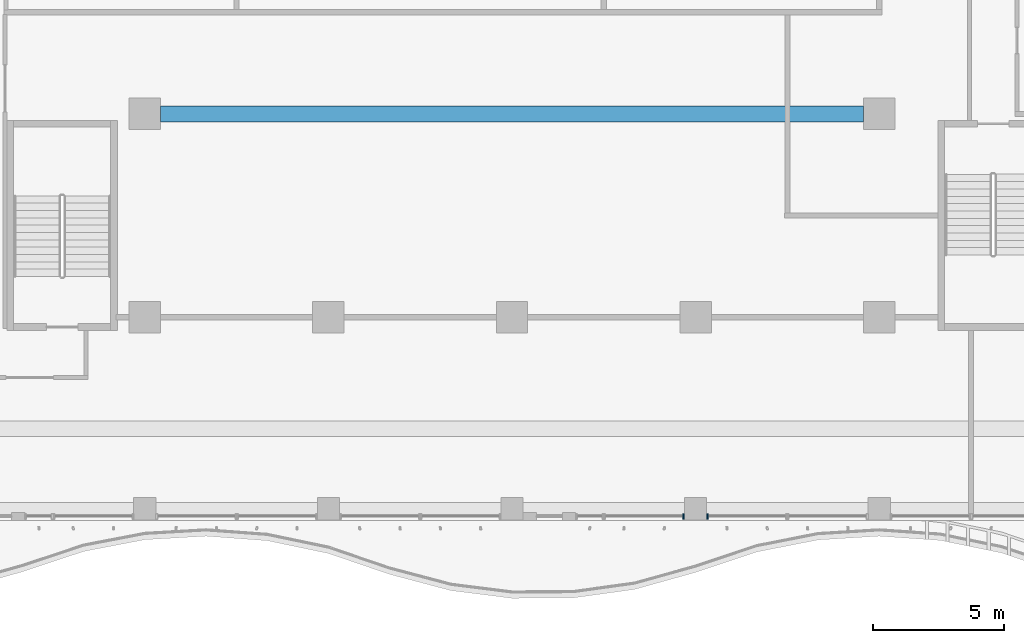
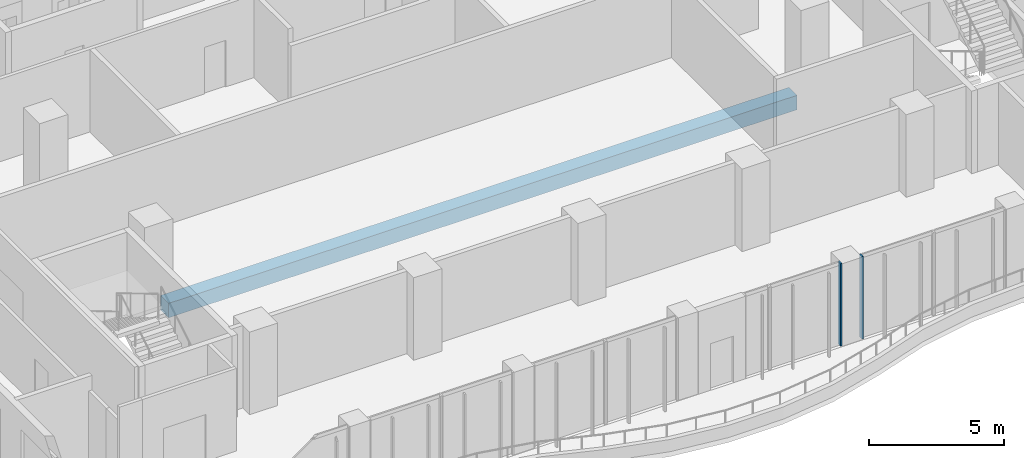
# One storey, part 4 of 27: 2 members, 1 beam, 2 elements without a shape of their own.
"""IFC4 building model written with IfcOpenShell, lengths in metres."""

import ifcopenshell
import ifcopenshell.guid

model = None  # the IFC model being written
_history = None  # IfcOwnerHistory: only IFC2X3 demands one
_inside = {}  # id of a spatial element -> (the spatial element, [elements in it])
_under = {}  # id of a project, library or spatial element -> (it, [spatial elements below it])
_declared = {}  # id of a project -> (the project, [libraries it declares])
_typed = {}  # id of a type object -> (the type object, [elements of that type])
_made_of = {}  # id of a material, layer set ... -> (it, [elements and type objects made of it])


def new_model(schema):
    """Start an empty IFC model of exactly this schema.

    Asked for "IFC4X3", IfcOpenShell would pick the latest addendum, in which some entities
    have other attributes; the version numbers below select the first issue.
    IFC2X3 requires an IfcOwnerHistory on every rooted entity: one is made here for all.
    """
    global model, _history
    if schema == "IFC4X3":
        model = ifcopenshell.file(schema_version=(4, 3, 0, 0))
    else:
        model = ifcopenshell.file(schema=schema)
    _inside.clear()
    _under.clear()
    _declared.clear()
    _typed.clear()
    _made_of.clear()
    _history = None
    if model.schema == "IFC2X3":
        org = make("IfcOrganization", Name="unknown")
        user = make(
            "IfcPersonAndOrganization",
            ThePerson=make("IfcPerson", FamilyName="unknown"),
            TheOrganization=org,
        )
        app = make(
            "IfcApplication",
            ApplicationDeveloper=org,
            Version="unknown",
            ApplicationFullName="unknown",
            ApplicationIdentifier="unknown",
        )
        _history = make(
            "IfcOwnerHistory",
            OwningUser=user,
            OwningApplication=app,
            ChangeAction="ADDED",
            CreationDate=0,
        )
    return model


def make(cls, **values):
    """One entity of the class cls with the attributes given. An attribute that is None is left unset."""
    return model.create_entity(
        cls, **{name: value for name, value in values.items() if value is not None}
    )


def rooted(cls, **values):
    """An entity with a GlobalId (a new one), such as an element, a storey or a relation."""
    return make(cls, GlobalId=ifcopenshell.guid.new(), OwnerHistory=_history, **values)


def si_unit(unit_type, name, prefix=None):
    """IfcSIUnit, for example si_unit("LENGTHUNIT", "METRE", prefix="MILLI")."""
    return make("IfcSIUnit", UnitType=unit_type, Prefix=prefix, Name=name)


def assignment(units):
    """IfcUnitAssignment: the units of a project."""
    return None if units is None else make("IfcUnitAssignment", Units=units)


def point(xyz):
    """IfcCartesianPoint."""
    return None if xyz is None else make("IfcCartesianPoint", Coordinates=xyz)


def direction(xyz):
    """IfcDirection."""
    return None if xyz is None else make("IfcDirection", DirectionRatios=xyz)


def frame(location, z_axis=None, x_axis=None):
    """IfcAxis2Placement3D, a coordinate frame: its origin and axes. An axis left out is left unset."""
    return make(
        "IfcAxis2Placement3D",
        Location=point(location),
        Axis=direction(z_axis),
        RefDirection=direction(x_axis),
    )


def frame_2d(location, x_axis=None):
    """IfcAxis2Placement2D, a coordinate frame in the plane: its origin and x axis."""
    return make(
        "IfcAxis2Placement2D", Location=point(location), RefDirection=direction(x_axis)
    )


def origin():
    """The frame at (0, 0, 0) with its axes left unset."""
    return frame((0.0, 0.0, 0.0))


def origin_2d():
    """The frame at (0, 0) in the plane with its x axis left unset."""
    return frame_2d((0.0, 0.0))


def place(relative_to, where):
    """IfcLocalPlacement: puts the frame where relative to a parent placement (None: the world)."""
    return make(
        "IfcLocalPlacement", PlacementRelTo=relative_to, RelativePlacement=where
    )


def context(
    kind, dimensions, precision=None, world=None, true_north=None, identifier=None
):
    """IfcGeometricRepresentationContext, for example the 3D "Model" context."""
    return make(
        "IfcGeometricRepresentationContext",
        ContextIdentifier=identifier,
        ContextType=kind,
        CoordinateSpaceDimension=dimensions,
        Precision=precision,
        WorldCoordinateSystem=world,
        TrueNorth=true_north,
    )


def subcontext(parent, identifier, kind, view, scale=None):
    """IfcGeometricRepresentationSubContext, for example "Body" below "Model"."""
    return make(
        "IfcGeometricRepresentationSubContext",
        ContextIdentifier=identifier,
        ContextType=kind,
        ParentContext=parent,
        TargetScale=scale,
        TargetView=view,
    )


def project(units=None, contexts=None):
    """IfcProject with its units and contexts."""
    return rooted(
        "IfcProject",
        Name="project",
        RepresentationContexts=contexts,
        UnitsInContext=assignment(units),
    )


def spatial(cls, under=None, at=None, **own):
    """A site, building, storey or space (cls), placed at a placement, below another one or the project."""
    s = rooted(cls, ObjectPlacement=at, **own)
    if under is not None:
        _under.setdefault(under.id(), (under, []))[1].append(s)
    return s


def profile(cls, at=None, kind="AREA", **sizes):
    """A parametric profile (cls). Its sizes go by their IFC names, for example OverallWidth=200.0."""
    return make(cls, ProfileType=kind, Position=at, **sizes)


def rectangle(**sizes):
    """IfcRectangleProfileDef."""
    return profile("IfcRectangleProfileDef", **sizes)


def extrude(swept, where, along, depth):
    """IfcExtrudedAreaSolid: the profile swept, set in the frame where, extruded along a direction by depth."""
    return make(
        "IfcExtrudedAreaSolid",
        SweptArea=swept,
        Position=where,
        ExtrudedDirection=direction(along),
        Depth=depth,
    )


def shape(context_of_items, identifier, shape_type, items):
    """IfcShapeRepresentation: the items that make up one representation, for example the "Body"."""
    return make(
        "IfcShapeRepresentation",
        ContextOfItems=context_of_items,
        RepresentationIdentifier=identifier,
        RepresentationType=shape_type,
        Items=items,
    )


def source(mapping_origin, context_of_items, identifier, shape_type, items):
    """IfcRepresentationMap: a shape defined once, which mapped items show again and again."""
    return make(
        "IfcRepresentationMap",
        MappingOrigin=mapping_origin,
        MappedRepresentation=shape(context_of_items, identifier, shape_type, items),
    )


def transform(
    local_origin,
    x_axis=None,
    y_axis=None,
    z_axis=None,
    scale=None,
    scale2=None,
    scale3=None,
    uniform=True,
):
    """IfcCartesianTransformationOperator3D, or its non-uniform kind. x_axis, y_axis, z_axis: its Axis1, 2, 3."""
    if uniform:
        return make(
            "IfcCartesianTransformationOperator3D",
            Axis1=direction(x_axis),
            Axis2=direction(y_axis),
            LocalOrigin=point(local_origin),
            Scale=scale,
            Axis3=direction(z_axis),
        )
    return make(
        "IfcCartesianTransformationOperator3DnonUniform",
        Axis1=direction(x_axis),
        Axis2=direction(y_axis),
        LocalOrigin=point(local_origin),
        Scale=scale,
        Axis3=direction(z_axis),
        Scale2=scale2,
        Scale3=scale3,
    )


def mapped(mapping_source, mapping_target):
    """IfcMappedItem: shows the shape of a source again, moved by a transform."""
    return make(
        "IfcMappedItem", MappingSource=mapping_source, MappingTarget=mapping_target
    )


def material(Name=None, Category=None):
    """IfcMaterial."""
    return make("IfcMaterial", Name=Name, Category=Category)


def material_profile(
    of_material, cross_section, Name=None, Category=None, Priority=None
):
    """IfcMaterialProfile: a cross section and its material."""
    return make(
        "IfcMaterialProfile",
        Name=Name,
        Material=of_material,
        Profile=cross_section,
        Priority=Priority,
        Category=Category,
    )


def profile_set(profiles, Name=None, composite=None):
    """IfcMaterialProfileSet."""
    return make(
        "IfcMaterialProfileSet",
        Name=Name,
        MaterialProfiles=profiles,
        CompositeProfile=composite,
    )


def made_of(thing, what):
    """Note that an element or type object is made of a material, layer set ...; save() writes the relation."""
    if what is not None:
        _made_of.setdefault(what.id(), (what, []))[1].append(thing)
    return thing


def type_object(cls, material=None, **own):
    """A type object (cls), such as IfcWallType, which elements share."""
    return made_of(rooted(cls, **own), material)


def element(
    cls,
    number,
    at=None,
    inside=None,
    cuts=None,
    type_object=None,
    material=None,
    context=None,
    identifier="Body",
    shape_type=None,
    held_by="IfcProductDefinitionShape",
    body=None,
    shapes=None,
    **own,
):
    """One element of the class cls, such as IfcWall. Its Tag is "e" and its number.

    at: its placement. inside: the storey or other place that contains it. cuts: it is an
    opening in that element (IfcRelVoidsElement). A single representation is given by context,
    identifier, shape_type and body (its items); several are given by shapes. held_by: the class
    of the entity that holds the representations. save() writes the other relations.
    """
    e = rooted(cls, Tag="e%d" % number, ObjectPlacement=at, **own)
    if body is not None:
        shapes = [shape(context, identifier, shape_type, body)]
    if shapes is not None:
        e.Representation = make(held_by, Representations=shapes)
    if inside is not None:
        _inside.setdefault(inside.id(), (inside, []))[1].append(e)
    if cuts is not None:
        rooted(
            "IfcRelVoidsElement", RelatingBuildingElement=cuts, RelatedOpeningElement=e
        )
    if type_object is not None:
        _typed.setdefault(type_object.id(), (type_object, []))[1].append(e)
    return made_of(e, material)


def aggregate(whole, parts):
    """IfcRelAggregates: a whole, such as a stair, and the parts it consists of."""
    return rooted("IfcRelAggregates", RelatingObject=whole, RelatedObjects=parts)


def save(model, path):
    """Write the relations noted so far, then the file.

    IfcRelAggregates (storeys below a building ...), IfcRelContainedInSpatialStructure (elements
    in a storey), IfcRelDefinesByType, IfcRelAssociatesMaterial and IfcRelDeclares: one each for
    every whole, place, type object, material and project.
    """
    for whole, parts in _under.values():
        aggregate(whole, parts)
    for where, things in _inside.values():
        rooted(
            "IfcRelContainedInSpatialStructure",
            RelatedElements=things,
            RelatingStructure=where,
        )
    for kind, things in _typed.values():
        rooted("IfcRelDefinesByType", RelatedObjects=things, RelatingType=kind)
    for what, things in _made_of.values():
        rooted("IfcRelAssociatesMaterial", RelatedObjects=things, RelatingMaterial=what)
    for by, libraries in _declared.values():
        rooted("IfcRelDeclares", RelatingContext=by, RelatedDefinitions=libraries)
    model.write(path)


model = new_model("IFC4")

# Units and contexts
model_context = context("Model", 3, precision=1e-05, world=origin(), true_north=direction((0.0, 1.0)))
body_context = subcontext(model_context, "Body", "Model", "MODEL_VIEW")
ifc_project = project(units=[si_unit("LENGTHUNIT", "METRE"), si_unit("AREAUNIT", "SQUARE_METRE"), si_unit("VOLUMEUNIT", "CUBIC_METRE"), si_unit("PLANEANGLEUNIT", "RADIAN"), si_unit("MASSUNIT", "GRAM", prefix="KILO")], contexts=[model_context])

# Site, building, storey
site_placement = place(None, origin())
site = spatial("IfcSite", under=ifc_project, at=site_placement, CompositionType="ELEMENT")
building_placement = place(site_placement, origin())
building = spatial("IfcBuilding", under=site, at=building_placement, Name="Kilnfold Tower and Market Hall", CompositionType="ELEMENT")
storey_placement = place(building_placement, frame((0.0, 0.0, 116.60009765625)))
storey = spatial("IfcBuildingStorey", under=building, at=storey_placement, Name="L27", CompositionType="ELEMENT", Elevation=116.60009765625)

# Beam
ifc_material_1 = material(Name="Concrete C45", Category="concrete")
ifc_material_profile_1 = material_profile(ifc_material_1, rectangle(XDim=0.60009765625, YDim=0.64990234375, at=origin_2d()), Name="RC 600x650")
ifc_profile_set_1 = profile_set([ifc_material_profile_1], Name="Concrete C45")
beam_type = type_object("IfcBeamType", Name="BEAM 600X650 C45", PredefinedType="BEAM", material=ifc_profile_set_1)
shared_shape_1 = source(origin(), body_context, "Body", "SweptSolid", [
    extrude(rectangle(XDim=0.60009765625, YDim=0.64990234375, at=origin_2d()), origin(), (0.0, 0.0, 1.0), 26.7998046875),
])
beam_placement = place(storey_placement, frame((-11.89990234375, -7.5, -0.60498046875), z_axis=(1.0, 0.0, 0.0), x_axis=(0.0, 1.0, 0.0)))
element("IfcBeam", 1, at=beam_placement, inside=storey, type_object=beam_type, Name="Beam BB650-B3.60", PredefinedType="BEAM", context=body_context, shape_type="MappedRepresentation", body=[
    mapped(shared_shape_1, transform((0.0, 0.0, 0.0))),
])

# Curtain wall, member
ifc_material_2 = material(Name="Aluminium and double glazing", Category="aluminium")
curtain_wall_type = type_object("IfcCurtainWallType", Name="CW OF2 VALLEY GLAZING", PredefinedType="NOTDEFINED", material=ifc_material_2)
curtain_wall_1_placement = place(storey_placement, origin())
curtain_wall_1 = element("IfcCurtainWall", 2, at=curtain_wall_1_placement, inside=storey, type_object=curtain_wall_type, Name="Curtain wall CW2 L27 S", PredefinedType="NOTDEFINED")
ifc_material_3 = material(Name="Aluminium", Category="aluminium")
ifc_material_profile_2 = material_profile(ifc_material_3, rectangle(XDim=0.06005859375, YDim=0.199951171875, at=origin_2d()), Name="MULLION 60x200")
ifc_profile_set_2 = profile_set([ifc_material_profile_2], Name="Aluminium")
member_type = type_object("IfcMemberType", Name="MULLION 60X200", PredefinedType="MULLION", material=ifc_profile_set_2)
shared_shape_2 = source(origin(), body_context, "Body", "SweptSolid", [
    extrude(rectangle(XDim=0.06005859375, YDim=0.199951171875, at=origin_2d()), origin(), (0.0, 0.0, 1.0), 3.719970703125),
])
member_1_placement = place(storey_placement, frame((8.044921875, -22.85009765625, 0.0), z_axis=(0.0, 0.0, 1.0), x_axis=(1.0, 0.0, 0.0)))
member_1 = element("IfcMember", 3, at=member_1_placement, type_object=member_type, Name="CW2 mullion 2", PredefinedType="MULLION", context=body_context, shape_type="MappedRepresentation", body=[
    mapped(shared_shape_2, transform((0.0, 0.0, 0.0))),
])
aggregate(curtain_wall_1, [member_1])

curtain_wall_2_placement = place(storey_placement, origin())
curtain_wall_2 = element("IfcCurtainWall", 4, at=curtain_wall_2_placement, inside=storey, type_object=curtain_wall_type, Name="Curtain wall CW2 L27 S", PredefinedType="NOTDEFINED")
member_2_placement = place(storey_placement, frame((8.955078125, -22.85009765625, 0.0), z_axis=(0.0, 0.0, 1.0), x_axis=(1.0, 0.0, 0.0)))
member_2 = element("IfcMember", 5, at=member_2_placement, type_object=member_type, Name="CW2 mullion 1", PredefinedType="MULLION", context=body_context, shape_type="MappedRepresentation", body=[
    mapped(shared_shape_2, transform((0.0, 0.0, 0.0))),
])
aggregate(curtain_wall_2, [member_2])

save(model, "model.ifc")
